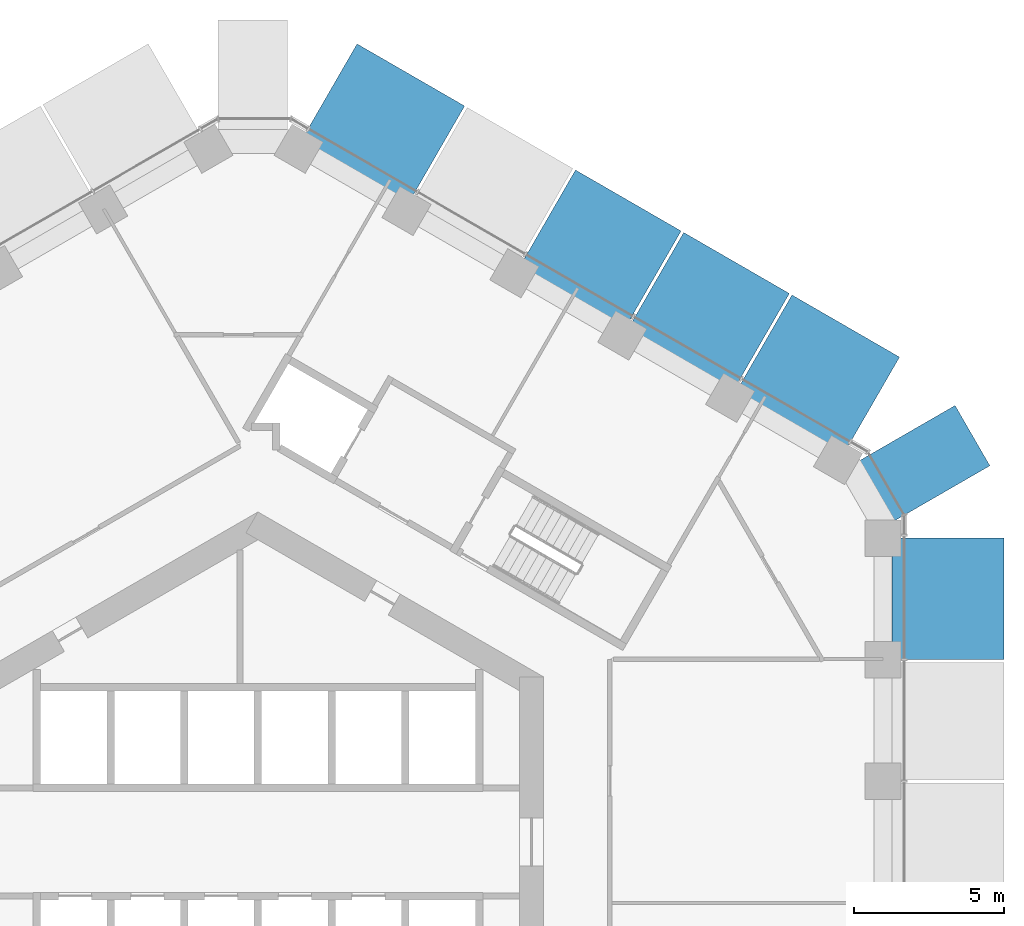
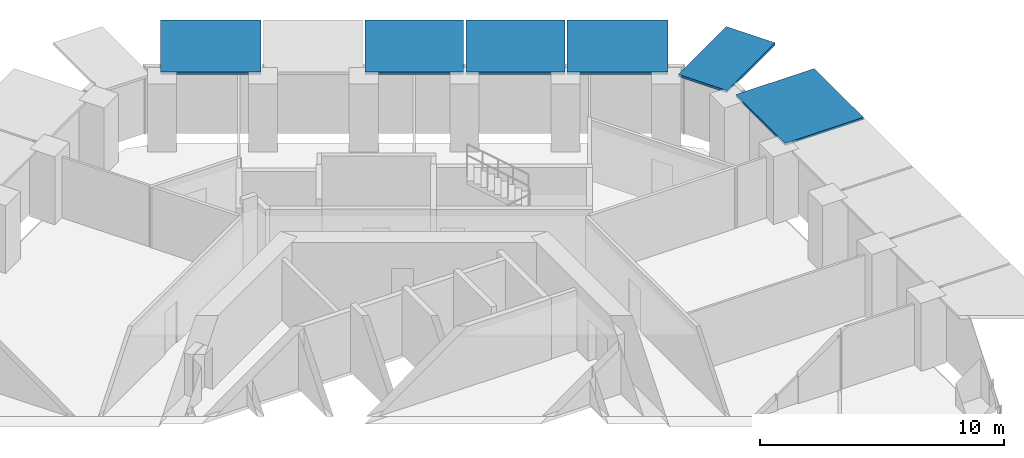
# One storey, part 15 of 19: 6 discrete accessories.
"""IFC4 building model written with IfcOpenShell, lengths in metres."""

from ifc_helpers import new_model, si_unit, direction, frame, origin, origin_2d, place, context, subcontext, project, spatial, rectangle, extrude, material, layer, layer_set, type_object, element, save


model = new_model("IFC4")

# Units and contexts
model_context = context("Model", 3, precision=1e-05, world=origin(), true_north=direction((0.0, 1.0)))
body_context = subcontext(model_context, "Body", "Model", "MODEL_VIEW")
ifc_project = project(units=[si_unit("LENGTHUNIT", "METRE"), si_unit("AREAUNIT", "SQUARE_METRE"), si_unit("VOLUMEUNIT", "CUBIC_METRE"), si_unit("PLANEANGLEUNIT", "RADIAN"), si_unit("MASSUNIT", "GRAM", prefix="KILO")], contexts=[model_context])

# Site, building, storey
site_placement = place(None, origin())
site = spatial("IfcSite", under=ifc_project, at=site_placement, CompositionType="ELEMENT")
building_placement = place(site_placement, origin())
building = spatial("IfcBuilding", under=site, at=building_placement, Name="Ayvan Gate Tower", CompositionType="ELEMENT")
storey_placement = place(building_placement, frame((0.0, 0.0, 32.300048828125)))
storey = spatial("IfcBuildingStorey", under=building, at=storey_placement, Name="L07", CompositionType="ELEMENT", Elevation=32.300048828125)

# Discrete accessories
ifc_material = material(Name="Stainless steel 316", Category="steel")
ifc_layer = layer(ifc_material, 0.1201171875)
ifc_layer_set = layer_set([ifc_layer], Name="Stainless steel 316")
discrete_accessory_type = type_object("IfcDiscreteAccessoryType", Name="Fin carrier bracket", PredefinedType="BRACKET", material=ifc_layer_set)
discrete_accessory_1_placement = place(storey_placement, frame((4.1533203125, 23.8896484375, 3.27978515625), z_axis=(0.0, 0.0, 1.0), x_axis=(-0.866025403784, 0.5, 0.0)))
element("IfcDiscreteAccessory", 1, at=discrete_accessory_1_placement, inside=storey, type_object=discrete_accessory_type, Name="Fin carrier 599", PredefinedType="BRACKET", context=body_context, shape_type="SweptSolid", body=[
    extrude(rectangle(XDim=4.1298828125, YDim=3.718017578125, at=origin_2d()), origin(), (0.0, 0.0, 1.0), 0.1201171875),
])
for number, where, z_axis, x_axis, name in (
    (2, (11.383056640625, 19.71533203125, 3.27978515625), (0.0, 0.0, 1.0), (-0.866025403784, 0.5, 0.0), "Fin carrier 719"),
    (3, (14.9814453125, 17.637939453125, 3.27978515625), (0.0, 0.0, 1.0), (-0.866025403784, 0.5, 0.0), "Fin carrier 784"),
):
    element("IfcDiscreteAccessory", number, at=place(storey_placement, frame(where, z_axis=z_axis, x_axis=x_axis)), inside=storey, type_object=discrete_accessory_type, Name=name, PredefinedType="BRACKET", context=body_context, shape_type="SweptSolid", body=[
        extrude(rectangle(XDim=4.054931640625, YDim=3.718017578125, at=origin_2d()), origin(), (0.0, 0.0, 1.0), 0.1201171875),
    ])
discrete_accessory_2_placement = place(storey_placement, frame((18.6123046875, 15.541748046875, 3.27978515625), z_axis=(0.0, 0.0, 1.0), x_axis=(-0.866025403784, 0.5, 0.0)))
element("IfcDiscreteAccessory", 4, at=discrete_accessory_2_placement, inside=storey, type_object=discrete_accessory_type, Name="Fin carrier 911", PredefinedType="BRACKET", context=body_context, shape_type="SweptSolid", body=[
    extrude(rectangle(XDim=4.1298828125, YDim=3.718017578125, at=origin_2d()), origin(), (0.0, 0.0, 1.0), 0.1201171875),
])
discrete_accessory_3_placement = place(storey_placement, frame((22.04443359375, 12.521728515625, 3.27978515625), z_axis=(0.0, 0.0, 1.0), x_axis=(-0.5, 0.866025403784, 0.0)))
element("IfcDiscreteAccessory", 5, at=discrete_accessory_3_placement, inside=storey, type_object=discrete_accessory_type, Name="Fin carrier 998", PredefinedType="BRACKET", context=body_context, shape_type="SweptSolid", body=[
    extrude(rectangle(XDim=2.314453125, YDim=3.94921875, at=origin_2d()), origin(), (0.0, 0.0, 1.0), 0.1201171875),
])
discrete_accessory_4_placement = place(storey_placement, frame((22.943603515625, 8.08544921875, 3.27978515625), z_axis=(0.0, 0.0, 1.0), x_axis=(0.0, 1.0, 0.0)))
element("IfcDiscreteAccessory", 6, at=discrete_accessory_4_placement, inside=storey, type_object=discrete_accessory_type, Name="Fin carrier 1026", PredefinedType="BRACKET", context=body_context, shape_type="SweptSolid", body=[
    extrude(rectangle(XDim=4.0380859375, YDim=3.718017578125, at=origin_2d()), origin(), (0.0, 0.0, 1.0), 0.1201171875),
])

save(model, "model.ifc")
